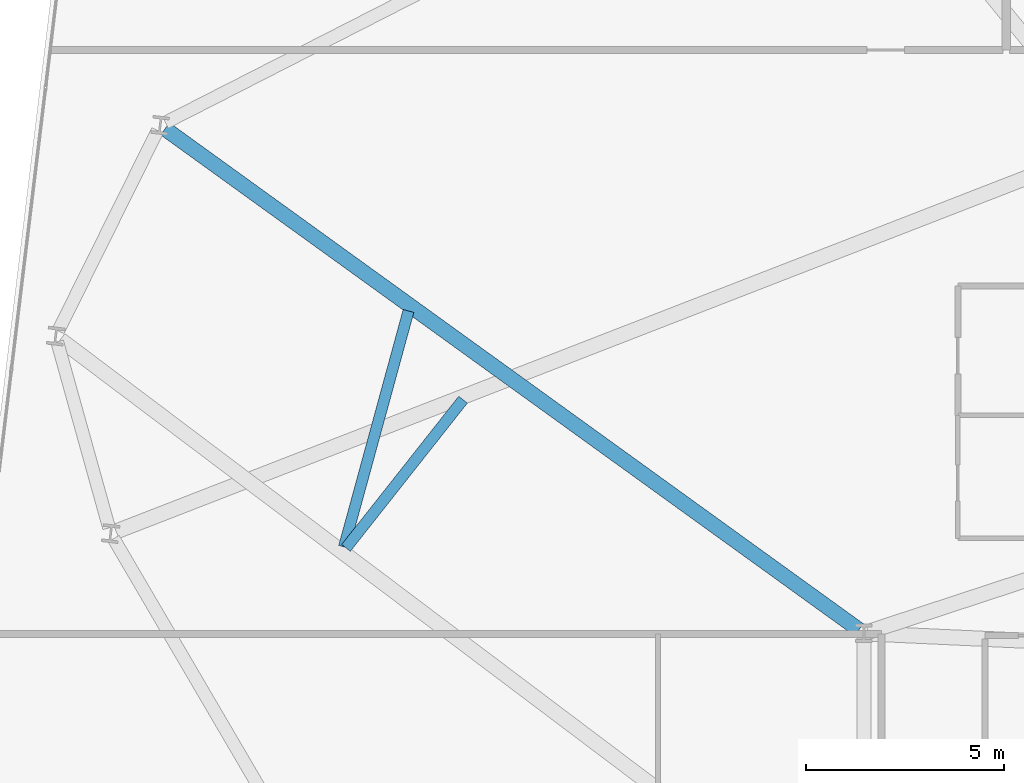
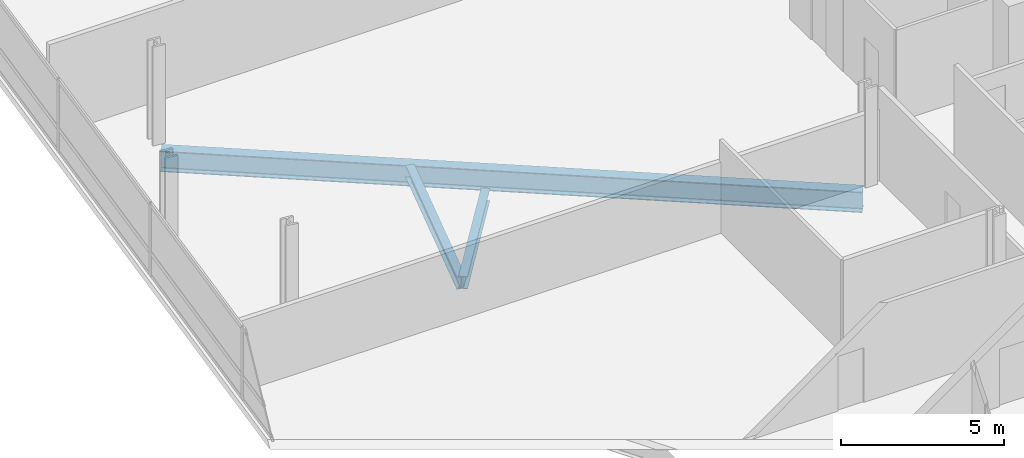
# One storey, part 9 of 25: 3 beams.
"""IFC4 building model written with IfcOpenShell, lengths in metres."""

from ifc_helpers import new_model, si_unit, direction, frame, origin, origin_2d, place, context, subcontext, project, spatial, i_section, extrude, material, material_profile, profile_set, type_object, element, save


model = new_model("IFC4")

# Units and contexts
model_context = context("Model", 3, precision=1e-05, world=origin(), true_north=direction((0.0, 1.0)))
body_context = subcontext(model_context, "Body", "Model", "MODEL_VIEW")
ifc_project = project(units=[si_unit("LENGTHUNIT", "METRE"), si_unit("AREAUNIT", "SQUARE_METRE"), si_unit("VOLUMEUNIT", "CUBIC_METRE"), si_unit("PLANEANGLEUNIT", "RADIAN"), si_unit("MASSUNIT", "GRAM", prefix="KILO")], contexts=[model_context])

# Site, building, storey
site_placement = place(None, origin())
site = spatial("IfcSite", under=ifc_project, at=site_placement, CompositionType="ELEMENT")
building_placement = place(site_placement, origin())
building = spatial("IfcBuilding", under=site, at=building_placement, Name="Varnelok Gate Tower", CompositionType="ELEMENT")
storey_placement = place(building_placement, frame((0.0, 0.0, 140.199951171875)))
storey = spatial("IfcBuildingStorey", under=building, at=storey_placement, Name="L35", CompositionType="ELEMENT", Elevation=140.199951171875)

# Beams
ifc_material = material(Name="Structural Steel ASTM A992 Grade 50", Category="steel")
ifc_material_profile_1 = material_profile(ifc_material, i_section(OverallWidth=0.280029296875, OverallDepth=0.462890625, WebThickness=0.0107421875, FlangeThickness=0.017333984375, FilletRadius=0.014892578125, at=origin_2d()), Name="W18X76")
ifc_profile_set_1 = profile_set([ifc_material_profile_1], Name="Structural Steel ASTM A992 Grade 50")
beam_type_1 = type_object("IfcBeamType", Name="BM-JST-W18X76", PredefinedType="JOIST", material=ifc_profile_set_1)
beam_1_placement = place(storey_placement, frame((12.88671875, 34.83056640625, -0.4814453125), z_axis=(-0.263665179127, -0.96461426141, 0.0), x_axis=(0.96461426141, -0.263665179127, 0.0)))
element("IfcBeam", 1, at=beam_1_placement, inside=storey, type_object=beam_type_1, Name="L35 Sector Floor Joist 11", PredefinedType="JOIST", context=body_context, shape_type="SweptSolid", body=[
    extrude(i_section(OverallWidth=0.280029296875, OverallDepth=0.462890625, WebThickness=0.0107421875, FlangeThickness=0.017333984375, FilletRadius=0.014892578125, at=origin_2d()), origin(), (0.0, 0.0, 1.0), 6.184326171875),
])
beam_2_placement = place(storey_placement, frame((11.305908203125, 28.839599609375, -0.4814453125), z_axis=(0.619776866324, 0.784778080715, 0.0), x_axis=(-0.784778080715, 0.619776866324, 0.0)))
element("IfcBeam", 2, at=beam_2_placement, inside=storey, type_object=beam_type_1, Name="L35 Sector Floor Joist 12", PredefinedType="JOIST", context=body_context, shape_type="SweptSolid", body=[
    extrude(i_section(OverallWidth=0.280029296875, OverallDepth=0.462890625, WebThickness=0.0107421875, FlangeThickness=0.017333984375, FilletRadius=0.014892578125, at=origin_2d()), origin(), (0.0, 0.0, 1.0), 4.776123046875),
])
ifc_material_profile_2 = material_profile(ifc_material, i_section(OverallWidth=0.381103515625, OverallDepth=0.77294921875, WebThickness=0.0166015625, FlangeThickness=0.027099609375, FilletRadius=0.02197265625, at=origin_2d()), Name="W30X173")
ifc_profile_set_2 = profile_set([ifc_material_profile_2], Name="Structural Steel ASTM A992 Grade 50")
beam_type_2 = type_object("IfcBeamType", Name="BM-PRI-W30X173", PredefinedType="BEAM", material=ifc_profile_set_2)
beam_3_placement = place(storey_placement, frame((24.2783203125, 26.767822265625, -0.636474609375), z_axis=(-0.810778258155, 0.585353411286, 0.0), x_axis=(-0.585353411286, -0.810778258155, 0.0)))
element("IfcBeam", 3, at=beam_3_placement, inside=storey, type_object=beam_type_2, Name="L35 Radial Floor Girder 14", PredefinedType="BEAM", context=body_context, shape_type="SweptSolid", body=[
    extrude(i_section(OverallWidth=0.381103515625, OverallDepth=0.77294921875, WebThickness=0.0166015625, FlangeThickness=0.027099609375, FilletRadius=0.02197265625, at=origin_2d()), origin(), (0.0, 0.0, 1.0), 21.645263671875),
])

save(model, "model.ifc")
